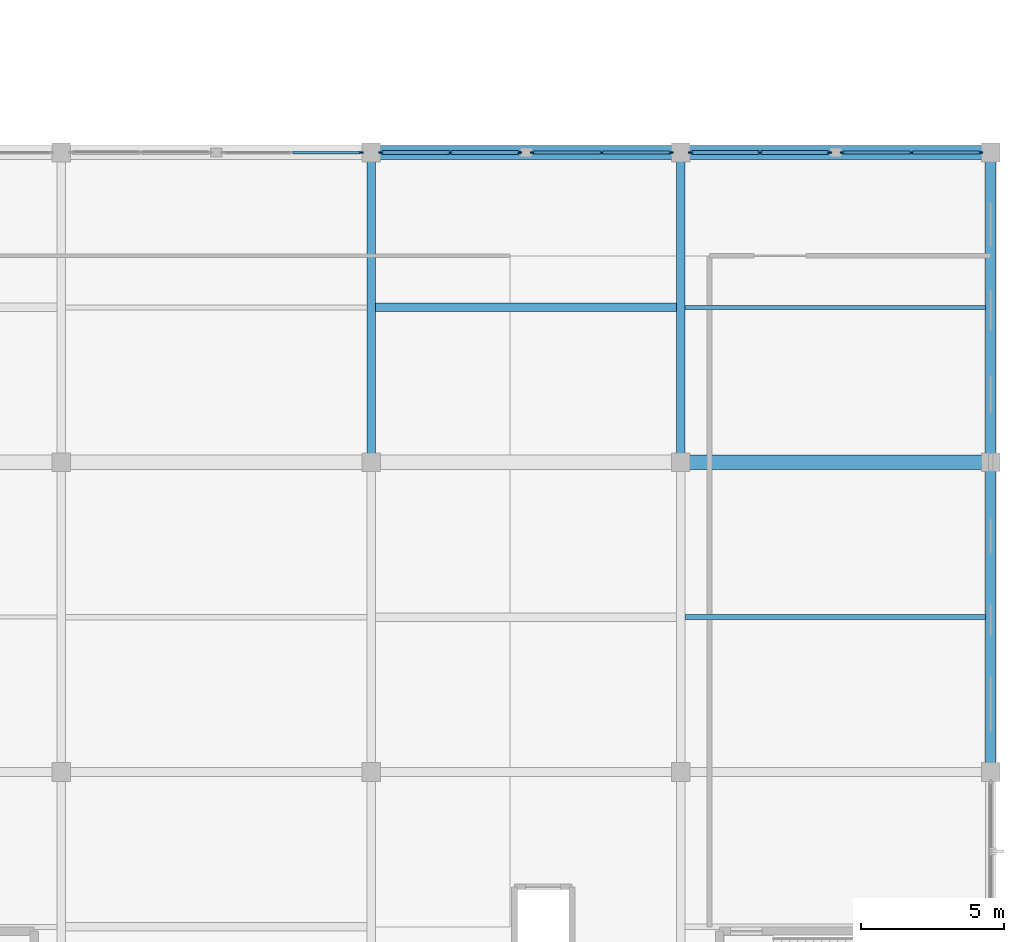
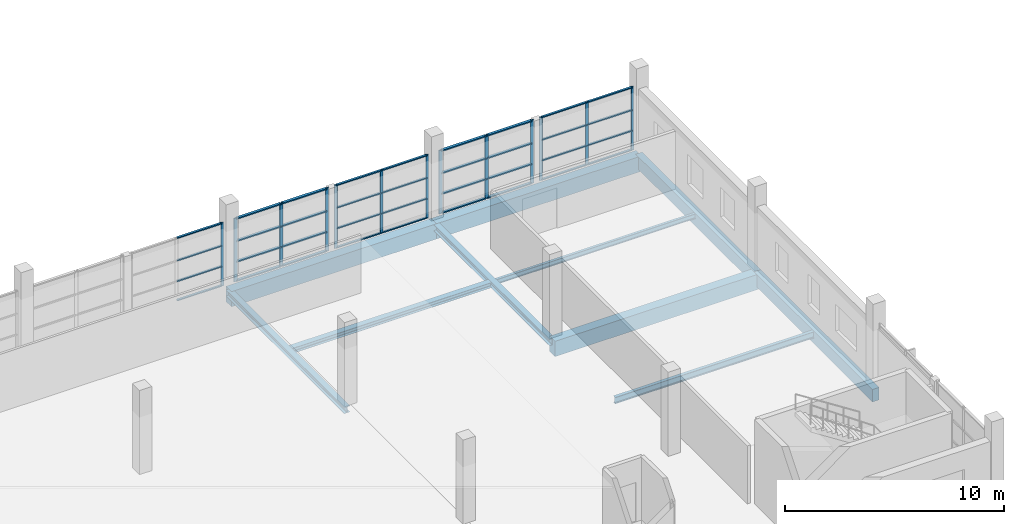
# One storey, part 66 of 142: 49 members, 10 beams, 5 elements without a shape of their own.
"""IFC4 building model written with IfcOpenShell, lengths in metres."""

from ifc_helpers import new_model, si_unit, direction, frame, origin, origin_2d, place, context, subcontext, project, spatial, rectangle, i_section, extrude, material, material_profile, profile_set, type_object, element, aggregate, save


model = new_model("IFC4")

# Units and contexts
model_context = context("Model", 3, precision=1e-05, world=origin(), true_north=direction((0.0, 1.0)))
body_context = subcontext(model_context, "Body", "Model", "MODEL_VIEW")
ifc_project = project(units=[si_unit("LENGTHUNIT", "METRE"), si_unit("AREAUNIT", "SQUARE_METRE"), si_unit("VOLUMEUNIT", "CUBIC_METRE"), si_unit("PLANEANGLEUNIT", "RADIAN"), si_unit("MASSUNIT", "GRAM", prefix="KILO")], contexts=[model_context])

# Site, building, storey
site_placement = place(None, origin())
site = spatial("IfcSite", under=ifc_project, at=site_placement, CompositionType="ELEMENT")
building_placement = place(site_placement, origin())
building = spatial("IfcBuilding", under=site, at=building_placement, Name="Zwinboog Wholesale Market", CompositionType="ELEMENT")
storey_placement = place(building_placement, frame((0.0, 0.0, 5.39990234375)))
storey = spatial("IfcBuildingStorey", under=building, at=storey_placement, Name="L01", CompositionType="ELEMENT", Elevation=5.39990234375)

# Beams
ifc_material_1 = material(Name="Precast concrete C45/55", Category="concrete")
ifc_material_profile_1 = material_profile(ifc_material_1, rectangle(XDim=0.5, YDim=0.85009765625, at=origin_2d()), Name="PC 500x850")
ifc_profile_set_1 = profile_set([ifc_material_profile_1], Name="Precast concrete C45/55")
beam_type_1 = type_object("IfcBeamType", Name="BT-03", PredefinedType="BEAM", material=ifc_profile_set_1)
for number, where, z_axis, x_axis, name in (
    (1, (205.199951171875, 21.60009765625, -0.72998046875), (1.0, 0.0, 0.0), (0.0, 1.0, 0.0), "BG-03 (BMG-L01-2052-0216-0448)"),
    (2, (194.39990234375, 32.39990234375, -0.72998046875), (1.0, 0.0, 0.0), (0.0, 1.0, 0.0), "BG-03 (BMG-L01-1944-0324-0459)"),
    (3, (205.199951171875, 32.39990234375, -0.72998046875), (1.0, 0.0, 0.0), (0.0, 1.0, 0.0), "BG-03 (BMG-L01-2052-0324-0460)"),
):
    element("IfcBeam", number, at=place(storey_placement, frame(where, z_axis=z_axis, x_axis=x_axis)), inside=storey, type_object=beam_type_1, Name=name, PredefinedType="BEAM", context=body_context, shape_type="SweptSolid", body=[
        extrude(rectangle(XDim=0.5, YDim=0.85009765625, at=origin_2d()), origin(), (0.0, 0.0, 1.0), 10.800048828125),
    ])
ifc_material_profile_2 = material_profile(ifc_material_1, rectangle(XDim=0.35009765625, YDim=0.699951171875, at=origin_2d()), Name="PC 350x700")
ifc_profile_set_2 = profile_set([ifc_material_profile_2], Name="Precast concrete C45/55")
beam_type_2 = type_object("IfcBeamType", Name="BT-08", PredefinedType="SPANDREL", material=ifc_profile_set_2)
beam_1_placement = place(storey_placement, frame((216.0, 10.800048828125, -0.65478515625), z_axis=(0.0, 1.0, 0.0), x_axis=(-1.0, 0.0, 0.0)))
element("IfcBeam", 4, at=beam_1_placement, inside=storey, type_object=beam_type_2, Name="SP-01 (BMG-L01-2160-0108-0773)", PredefinedType="SPANDREL", context=body_context, shape_type="SweptSolid", body=[
    extrude(rectangle(XDim=0.35009765625, YDim=0.699951171875, at=origin_2d()), origin(), (0.0, 0.0, 1.0), 10.800048828125),
])
beam_2_placement = place(storey_placement, frame((216.0, 21.60009765625, -0.65478515625), z_axis=(0.0, 1.0, 0.0), x_axis=(-1.0, 0.0, 0.0)))
element("IfcBeam", 5, at=beam_2_placement, inside=storey, type_object=beam_type_2, Name="SP-01 (BMG-L01-2160-0216-0774)", PredefinedType="SPANDREL", context=body_context, shape_type="SweptSolid", body=[
    extrude(rectangle(XDim=0.35009765625, YDim=0.699951171875, at=origin_2d()), origin(), (0.0, 0.0, 1.0), 10.7998046875),
])
ifc_material_2 = material(Name="Steel S355", Category="steel")
ifc_material_profile_3 = material_profile(ifc_material_2, i_section(OverallWidth=0.300048828125, OverallDepth=0.35009765625, WebThickness=0.010009765625, FlangeThickness=0.017578125, FilletRadius=0.027099609375, at=origin_2d()), Name="HEA 360")
ifc_profile_set_3 = profile_set([ifc_material_profile_3], Name="Steel S355")
beam_type_3 = type_object("IfcBeamType", Name="BT-17", PredefinedType="BEAM", material=ifc_profile_set_3)
for number, where, z_axis, x_axis, name in (
    (6, (194.39990234375, 21.60009765625, -0.47998046875), (0.0, 1.0, 0.0), (-1.0, 0.0, 0.0), "SB-04 (BMG-L01-1944-0216-0764)"),
    (7, (205.199951171875, 21.60009765625, -0.47998046875), (0.0, 1.0, 0.0), (-1.0, 0.0, 0.0), "SB-04 (BMG-L01-2052-0216-0769)"),
):
    element("IfcBeam", number, at=place(storey_placement, frame(where, z_axis=z_axis, x_axis=x_axis)), inside=storey, type_object=beam_type_3, Name=name, PredefinedType="BEAM", context=body_context, shape_type="SweptSolid", body=[
        extrude(i_section(OverallWidth=0.300048828125, OverallDepth=0.35009765625, WebThickness=0.010009765625, FlangeThickness=0.017578125, FilletRadius=0.027099609375, at=origin_2d()), origin(), (0.0, 0.0, 1.0), 10.7998046875),
    ])
ifc_material_profile_4 = material_profile(ifc_material_2, i_section(OverallWidth=0.300048828125, OverallDepth=0.2900390625, WebThickness=0.008544921875, FlangeThickness=0.013916015625, FilletRadius=0.027099609375, at=origin_2d()), Name="HEA 300")
ifc_profile_set_4 = profile_set([ifc_material_profile_4], Name="Steel S355")
beam_type_4 = type_object("IfcBeamType", Name="BT-18", PredefinedType="JOIST", material=ifc_profile_set_4)
beam_3_placement = place(storey_placement, frame((194.550048828125, 27.0, -0.449951171875), z_axis=(1.0, 0.0, 0.0), x_axis=(0.0, 1.0, 0.0)))
element("IfcBeam", 8, at=beam_3_placement, inside=storey, type_object=beam_type_4, Name="SJ-01 (BMG-L01-1946-0270-0899)", PredefinedType="JOIST", context=body_context, shape_type="SweptSolid", body=[
    extrude(i_section(OverallWidth=0.300048828125, OverallDepth=0.2900390625, WebThickness=0.008544921875, FlangeThickness=0.013916015625, FilletRadius=0.027099609375, at=origin_2d()), origin(), (0.0, 0.0, 1.0), 10.5),
])
ifc_material_profile_5 = material_profile(ifc_material_2, i_section(OverallWidth=0.169921875, OverallDepth=0.360107421875, WebThickness=0.008056640625, FlangeThickness=0.0126953125, FilletRadius=0.01806640625, at=origin_2d()), Name="IPE 360")
ifc_profile_set_5 = profile_set([ifc_material_profile_5], Name="Steel S355")
beam_type_5 = type_object("IfcBeamType", Name="BT-20", PredefinedType="JOIST", material=ifc_profile_set_5)
beam_4_placement = place(storey_placement, frame((205.35009765625, 16.199951171875, -0.48486328125), z_axis=(1.0, 0.0, 0.0), x_axis=(0.0, 1.0, 0.0)))
element("IfcBeam", 9, at=beam_4_placement, inside=storey, type_object=beam_type_5, Name="SJ-03 (BMG-L01-2054-0162-0901)", PredefinedType="JOIST", context=body_context, shape_type="SweptSolid", body=[
    extrude(i_section(OverallWidth=0.169921875, OverallDepth=0.360107421875, WebThickness=0.008056640625, FlangeThickness=0.0126953125, FilletRadius=0.01806640625, at=origin_2d()), origin(), (0.0, 0.0, 1.0), 10.474853515625),
])
ifc_material_profile_6 = material_profile(ifc_material_2, i_section(OverallWidth=0.135009765625, OverallDepth=0.27001953125, WebThickness=0.006591796875, FlangeThickness=0.01025390625, FilletRadius=0.014892578125, at=origin_2d()), Name="IPE 270")
ifc_profile_set_6 = profile_set([ifc_material_profile_6], Name="Steel S355")
beam_type_6 = type_object("IfcBeamType", Name="BT-21", PredefinedType="JOIST", material=ifc_profile_set_6)
beam_5_placement = place(storey_placement, frame((205.35009765625, 27.0, -0.43994140625), z_axis=(1.0, 0.0, 0.0), x_axis=(0.0, 1.0, 0.0)))
element("IfcBeam", 10, at=beam_5_placement, inside=storey, type_object=beam_type_6, Name="SJ-04 (BMG-L01-2054-0270-0902)", PredefinedType="JOIST", context=body_context, shape_type="SweptSolid", body=[
    extrude(i_section(OverallWidth=0.135009765625, OverallDepth=0.27001953125, WebThickness=0.006591796875, FlangeThickness=0.01025390625, FilletRadius=0.014892578125, at=origin_2d()), origin(), (0.0, 0.0, 1.0), 10.474853515625),
])

# Curtain wall, members
ifc_material_3 = material(Name="Aluminium thermally broken curtain wall", Category="aluminium")
curtain_wall_type_1 = type_object("IfcCurtainWallType", Name="CWT-HALL-24", PredefinedType="USERDEFINED", material=ifc_material_3)
curtain_wall_1_placement = place(storey_placement, origin())
curtain_wall_1 = element("IfcCurtainWall", 11, at=curtain_wall_1_placement, inside=storey, type_object=curtain_wall_type_1, Name="CW-03 (CW-L01-147)", ObjectType="UNITIZED_CURTAIN_WALL", PredefinedType="USERDEFINED")
ifc_material_4 = material(Name="Aluminium EN AW-6060", Category="aluminium")
ifc_material_profile_7 = material_profile(ifc_material_4, rectangle(XDim=0.06494140625, YDim=0.179931640625, at=origin_2d()), Name="AL 65x180")
ifc_profile_set_7 = profile_set([ifc_material_profile_7], Name="Aluminium EN AW-6060")
member_type_1 = type_object("IfcMemberType", Name="CWM-65x180", PredefinedType="MULLION", material=ifc_profile_set_7)
member_1_placement = place(storey_placement, frame((194.75244140625, 32.39990234375, 0.0), z_axis=(0.0, 0.0, 1.0), x_axis=(0.0, 1.0, 0.0)))
member_1 = element("IfcMember", 12, at=member_1_placement, type_object=member_type_1, Name="CW-03 mullion 1", PredefinedType="MULLION", context=body_context, shape_type="SweptSolid", body=[
    extrude(rectangle(XDim=0.06494140625, YDim=0.179931640625, at=origin_2d()), origin(), (0.0, 0.0, 1.0), 3.530029296875),
])
member_2_placement = place(storey_placement, frame((197.159912109375, 32.39990234375, 0.0), z_axis=(0.0, 0.0, 1.0), x_axis=(0.0, 1.0, 0.0)))
member_2 = element("IfcMember", 13, at=member_2_placement, type_object=member_type_1, Name="CW-03 mullion 2", PredefinedType="MULLION", context=body_context, shape_type="SweptSolid", body=[
    extrude(rectangle(XDim=0.06494140625, YDim=0.179931640625, at=origin_2d()), origin(), (0.0, 0.0, 1.0), 3.530029296875),
])
member_3_placement = place(storey_placement, frame((199.5673828125, 32.39990234375, 0.0), z_axis=(0.0, 0.0, 1.0), x_axis=(0.0, 1.0, 0.0)))
member_3 = element("IfcMember", 14, at=member_3_placement, type_object=member_type_1, Name="CW-03 mullion 3", PredefinedType="MULLION", context=body_context, shape_type="SweptSolid", body=[
    extrude(rectangle(XDim=0.06494140625, YDim=0.179931640625, at=origin_2d()), origin(), (0.0, 0.0, 1.0), 3.530029296875),
])

curtain_wall_type_2 = type_object("IfcCurtainWallType", Name="CWT-STALL-18", PredefinedType="USERDEFINED", material=ifc_material_3)
curtain_wall_2_placement = place(storey_placement, origin())
curtain_wall_2 = element("IfcCurtainWall", 15, at=curtain_wall_2_placement, inside=storey, type_object=curtain_wall_type_2, Name="CW-01 (CW-L01-151)", ObjectType="STOREFRONT_GLAZING", PredefinedType="USERDEFINED")
member_4_placement = place(storey_placement, frame((205.552490234375, 32.39990234375, 0.0), z_axis=(0.0, 0.0, 1.0), x_axis=(0.0, 1.0, 0.0)))
member_4 = element("IfcMember", 16, at=member_4_placement, type_object=member_type_1, Name="CW-01 mullion 1", PredefinedType="MULLION", context=body_context, shape_type="SweptSolid", body=[
    extrude(rectangle(XDim=0.06494140625, YDim=0.179931640625, at=origin_2d()), origin(), (0.0, 0.0, 1.0), 3.530029296875),
])
member_5_placement = place(storey_placement, frame((207.9599609375, 32.39990234375, 0.0), z_axis=(0.0, 0.0, 1.0), x_axis=(0.0, 1.0, 0.0)))
member_5 = element("IfcMember", 17, at=member_5_placement, type_object=member_type_1, Name="CW-01 mullion 2", PredefinedType="MULLION", context=body_context, shape_type="SweptSolid", body=[
    extrude(rectangle(XDim=0.06494140625, YDim=0.179931640625, at=origin_2d()), origin(), (0.0, 0.0, 1.0), 3.530029296875),
])
member_6_placement = place(storey_placement, frame((210.367431640625, 32.39990234375, 0.0), z_axis=(0.0, 0.0, 1.0), x_axis=(0.0, 1.0, 0.0)))
member_6 = element("IfcMember", 18, at=member_6_placement, type_object=member_type_1, Name="CW-01 mullion 3", PredefinedType="MULLION", context=body_context, shape_type="SweptSolid", body=[
    extrude(rectangle(XDim=0.06494140625, YDim=0.179931640625, at=origin_2d()), origin(), (0.0, 0.0, 1.0), 3.530029296875),
])

# Curtain wall, member
curtain_wall_type_3 = type_object("IfcCurtainWallType", Name="CWT-STALL-20", PredefinedType="USERDEFINED", material=ifc_material_3)
curtain_wall_3_placement = place(storey_placement, origin())
curtain_wall_3 = element("IfcCurtainWall", 19, at=curtain_wall_3_placement, inside=storey, type_object=curtain_wall_type_3, Name="CW-02 (CW-L01-146)", ObjectType="STOREFRONT_GLAZING", PredefinedType="USERDEFINED")
ifc_material_profile_8 = material_profile(ifc_material_4, rectangle(XDim=0.06005859375, YDim=0.14990234375, at=origin_2d()), Name="AL 60x150")
ifc_profile_set_8 = profile_set([ifc_material_profile_8], Name="Aluminium EN AW-6060")
member_type_2 = type_object("IfcMemberType", Name="CWM-60x150", PredefinedType="MULLION", material=ifc_profile_set_8)
member_7_placement = place(storey_placement, frame((194.050048828125, 32.39990234375, 0.0), z_axis=(0.0, 0.0, 1.0), x_axis=(0.0, 1.0, 0.0)))
member_7 = element("IfcMember", 20, at=member_7_placement, type_object=member_type_2, Name="CW-02 mullion 3", PredefinedType="MULLION", context=body_context, shape_type="SweptSolid", body=[
    extrude(rectangle(XDim=0.06005859375, YDim=0.14990234375, at=origin_2d()), origin(), (0.0, 0.0, 1.0), 3.530029296875),
])

# Curtain wall, members
curtain_wall_type_4 = type_object("IfcCurtainWallType", Name="CWT-GAL-16", PredefinedType="USERDEFINED", material=ifc_material_3)
curtain_wall_4_placement = place(storey_placement, origin())
curtain_wall_4 = element("IfcCurtainWall", 21, at=curtain_wall_4_placement, inside=storey, type_object=curtain_wall_type_4, Name="CW-04 (CW-L01-148)", ObjectType="UNITIZED_CURTAIN_WALL", PredefinedType="USERDEFINED")
member_8_placement = place(storey_placement, frame((200.030029296875, 32.39990234375, 0.0), z_axis=(0.0, 0.0, 1.0), x_axis=(0.0, 1.0, 0.0)))
member_8 = element("IfcMember", 22, at=member_8_placement, type_object=member_type_2, Name="CW-04 mullion 1", PredefinedType="MULLION", context=body_context, shape_type="SweptSolid", body=[
    extrude(rectangle(XDim=0.06005859375, YDim=0.14990234375, at=origin_2d()), origin(), (0.0, 0.0, 1.0), 3.530029296875),
])
member_9_placement = place(storey_placement, frame((202.43994140625, 32.39990234375, 0.0), z_axis=(0.0, 0.0, 1.0), x_axis=(0.0, 1.0, 0.0)))
member_9 = element("IfcMember", 23, at=member_9_placement, type_object=member_type_2, Name="CW-04 mullion 2", PredefinedType="MULLION", context=body_context, shape_type="SweptSolid", body=[
    extrude(rectangle(XDim=0.06005859375, YDim=0.14990234375, at=origin_2d()), origin(), (0.0, 0.0, 1.0), 3.530029296875),
])
member_10_placement = place(storey_placement, frame((204.85009765625, 32.39990234375, 0.0), z_axis=(0.0, 0.0, 1.0), x_axis=(0.0, 1.0, 0.0)))
member_10 = element("IfcMember", 24, at=member_10_placement, type_object=member_type_2, Name="CW-04 mullion 3", PredefinedType="MULLION", context=body_context, shape_type="SweptSolid", body=[
    extrude(rectangle(XDim=0.06005859375, YDim=0.14990234375, at=origin_2d()), origin(), (0.0, 0.0, 1.0), 3.530029296875),
])

curtain_wall_5_placement = place(storey_placement, origin())
curtain_wall_5 = element("IfcCurtainWall", 25, at=curtain_wall_5_placement, inside=storey, type_object=curtain_wall_type_3, Name="CW-02 (CW-L01-152)", ObjectType="STOREFRONT_GLAZING", PredefinedType="USERDEFINED")
member_11_placement = place(storey_placement, frame((210.830078125, 32.39990234375, 0.0), z_axis=(0.0, 0.0, 1.0), x_axis=(0.0, 1.0, 0.0)))
member_11 = element("IfcMember", 26, at=member_11_placement, type_object=member_type_2, Name="CW-02 mullion 1", PredefinedType="MULLION", context=body_context, shape_type="SweptSolid", body=[
    extrude(rectangle(XDim=0.06005859375, YDim=0.14990234375, at=origin_2d()), origin(), (0.0, 0.0, 1.0), 3.530029296875),
])
member_12_placement = place(storey_placement, frame((213.239990234375, 32.39990234375, 0.0), z_axis=(0.0, 0.0, 1.0), x_axis=(0.0, 1.0, 0.0)))
member_12 = element("IfcMember", 27, at=member_12_placement, type_object=member_type_2, Name="CW-02 mullion 2", PredefinedType="MULLION", context=body_context, shape_type="SweptSolid", body=[
    extrude(rectangle(XDim=0.06005859375, YDim=0.14990234375, at=origin_2d()), origin(), (0.0, 0.0, 1.0), 3.530029296875),
])
member_13_placement = place(storey_placement, frame((215.64990234375, 32.39990234375, 0.0), z_axis=(0.0, 0.0, 1.0), x_axis=(0.0, 1.0, 0.0)))
member_13 = element("IfcMember", 28, at=member_13_placement, type_object=member_type_2, Name="CW-02 mullion 3", PredefinedType="MULLION", context=body_context, shape_type="SweptSolid", body=[
    extrude(rectangle(XDim=0.06005859375, YDim=0.14990234375, at=origin_2d()), origin(), (0.0, 0.0, 1.0), 3.530029296875),
])

# Member
ifc_material_profile_9 = material_profile(ifc_material_4, rectangle(XDim=0.139892578125, YDim=0.06494140625, at=origin_2d()), Name="AL 65x140")
ifc_profile_set_9 = profile_set([ifc_material_profile_9], Name="Aluminium EN AW-6060")
member_type_3 = type_object("IfcMemberType", Name="CWT-65x140", PredefinedType="USERDEFINED", material=ifc_profile_set_9)
member_14_placement = place(storey_placement, frame((194.784912109375, 32.39990234375, 0.03271484375), z_axis=(1.0, 0.0, 0.0), x_axis=(0.0, 1.0, 0.0)))
member_14 = element("IfcMember", 29, at=member_14_placement, type_object=member_type_3, Name="CW-03 transom 1.1", ObjectType="TRANSOM", PredefinedType="USERDEFINED", context=body_context, shape_type="SweptSolid", body=[
    extrude(rectangle(XDim=0.139892578125, YDim=0.06494140625, at=origin_2d()), origin(), (0.0, 0.0, 1.0), 2.342529296875),
])

member_15_placement = place(storey_placement, frame((194.784912109375, 32.39990234375, 1.10009765625), z_axis=(1.0, 0.0, 0.0), x_axis=(0.0, 1.0, 0.0)))
member_15 = element("IfcMember", 30, at=member_15_placement, type_object=member_type_3, Name="CW-03 transom 1.2", ObjectType="TRANSOM", PredefinedType="USERDEFINED", context=body_context, shape_type="SweptSolid", body=[
    extrude(rectangle(XDim=0.139892578125, YDim=0.06494140625, at=origin_2d()), origin(), (0.0, 0.0, 1.0), 2.342529296875),
])

member_16_placement = place(storey_placement, frame((194.784912109375, 32.39990234375, 2.25), z_axis=(1.0, 0.0, 0.0), x_axis=(0.0, 1.0, 0.0)))
member_16 = element("IfcMember", 31, at=member_16_placement, type_object=member_type_3, Name="CW-03 transom 1.3", ObjectType="TRANSOM", PredefinedType="USERDEFINED", context=body_context, shape_type="SweptSolid", body=[
    extrude(rectangle(XDim=0.139892578125, YDim=0.06494140625, at=origin_2d()), origin(), (0.0, 0.0, 1.0), 2.342529296875),
])

member_17_placement = place(storey_placement, frame((194.784912109375, 32.39990234375, 3.49755859375), z_axis=(1.0, 0.0, 0.0), x_axis=(0.0, 1.0, 0.0)))
member_17 = element("IfcMember", 32, at=member_17_placement, type_object=member_type_3, Name="CW-03 transom 1.4", ObjectType="TRANSOM", PredefinedType="USERDEFINED", context=body_context, shape_type="SweptSolid", body=[
    extrude(rectangle(XDim=0.139892578125, YDim=0.06494140625, at=origin_2d()), origin(), (0.0, 0.0, 1.0), 2.342529296875),
])

member_18_placement = place(storey_placement, frame((197.1923828125, 32.39990234375, 0.03271484375), z_axis=(1.0, 0.0, 0.0), x_axis=(0.0, 1.0, 0.0)))
member_18 = element("IfcMember", 33, at=member_18_placement, type_object=member_type_3, Name="CW-03 transom 2.1", ObjectType="TRANSOM", PredefinedType="USERDEFINED", context=body_context, shape_type="SweptSolid", body=[
    extrude(rectangle(XDim=0.139892578125, YDim=0.06494140625, at=origin_2d()), origin(), (0.0, 0.0, 1.0), 2.342529296875),
])

member_19_placement = place(storey_placement, frame((197.1923828125, 32.39990234375, 1.10009765625), z_axis=(1.0, 0.0, 0.0), x_axis=(0.0, 1.0, 0.0)))
member_19 = element("IfcMember", 34, at=member_19_placement, type_object=member_type_3, Name="CW-03 transom 2.2", ObjectType="TRANSOM", PredefinedType="USERDEFINED", context=body_context, shape_type="SweptSolid", body=[
    extrude(rectangle(XDim=0.139892578125, YDim=0.06494140625, at=origin_2d()), origin(), (0.0, 0.0, 1.0), 2.342529296875),
])

member_20_placement = place(storey_placement, frame((197.1923828125, 32.39990234375, 2.25), z_axis=(1.0, 0.0, 0.0), x_axis=(0.0, 1.0, 0.0)))
member_20 = element("IfcMember", 35, at=member_20_placement, type_object=member_type_3, Name="CW-03 transom 2.3", ObjectType="TRANSOM", PredefinedType="USERDEFINED", context=body_context, shape_type="SweptSolid", body=[
    extrude(rectangle(XDim=0.139892578125, YDim=0.06494140625, at=origin_2d()), origin(), (0.0, 0.0, 1.0), 2.342529296875),
])

member_21_placement = place(storey_placement, frame((197.1923828125, 32.39990234375, 3.49755859375), z_axis=(1.0, 0.0, 0.0), x_axis=(0.0, 1.0, 0.0)))
member_21 = element("IfcMember", 36, at=member_21_placement, type_object=member_type_3, Name="CW-03 transom 2.4", ObjectType="TRANSOM", PredefinedType="USERDEFINED", context=body_context, shape_type="SweptSolid", body=[
    extrude(rectangle(XDim=0.139892578125, YDim=0.06494140625, at=origin_2d()), origin(), (0.0, 0.0, 1.0), 2.342529296875),
])

aggregate(curtain_wall_1, [member_1, member_2, member_3, member_14, member_15, member_16, member_17, member_18, member_19, member_20, member_21])

member_22_placement = place(storey_placement, frame((205.5849609375, 32.39990234375, 0.03271484375), z_axis=(1.0, 0.0, 0.0), x_axis=(0.0, 1.0, 0.0)))
member_22 = element("IfcMember", 37, at=member_22_placement, type_object=member_type_3, Name="CW-01 transom 1.1", ObjectType="TRANSOM", PredefinedType="USERDEFINED", context=body_context, shape_type="SweptSolid", body=[
    extrude(rectangle(XDim=0.139892578125, YDim=0.06494140625, at=origin_2d()), origin(), (0.0, 0.0, 1.0), 2.342529296875),
])

member_23_placement = place(storey_placement, frame((205.5849609375, 32.39990234375, 1.10009765625), z_axis=(1.0, 0.0, 0.0), x_axis=(0.0, 1.0, 0.0)))
member_23 = element("IfcMember", 38, at=member_23_placement, type_object=member_type_3, Name="CW-01 transom 1.2", ObjectType="TRANSOM", PredefinedType="USERDEFINED", context=body_context, shape_type="SweptSolid", body=[
    extrude(rectangle(XDim=0.139892578125, YDim=0.06494140625, at=origin_2d()), origin(), (0.0, 0.0, 1.0), 2.342529296875),
])

member_24_placement = place(storey_placement, frame((205.5849609375, 32.39990234375, 2.25), z_axis=(1.0, 0.0, 0.0), x_axis=(0.0, 1.0, 0.0)))
member_24 = element("IfcMember", 39, at=member_24_placement, type_object=member_type_3, Name="CW-01 transom 1.3", ObjectType="TRANSOM", PredefinedType="USERDEFINED", context=body_context, shape_type="SweptSolid", body=[
    extrude(rectangle(XDim=0.139892578125, YDim=0.06494140625, at=origin_2d()), origin(), (0.0, 0.0, 1.0), 2.342529296875),
])

member_25_placement = place(storey_placement, frame((205.5849609375, 32.39990234375, 3.49755859375), z_axis=(1.0, 0.0, 0.0), x_axis=(0.0, 1.0, 0.0)))
member_25 = element("IfcMember", 40, at=member_25_placement, type_object=member_type_3, Name="CW-01 transom 1.4", ObjectType="TRANSOM", PredefinedType="USERDEFINED", context=body_context, shape_type="SweptSolid", body=[
    extrude(rectangle(XDim=0.139892578125, YDim=0.06494140625, at=origin_2d()), origin(), (0.0, 0.0, 1.0), 2.342529296875),
])

member_26_placement = place(storey_placement, frame((207.992431640625, 32.39990234375, 0.03271484375), z_axis=(1.0, 0.0, 0.0), x_axis=(0.0, 1.0, 0.0)))
member_26 = element("IfcMember", 41, at=member_26_placement, type_object=member_type_3, Name="CW-01 transom 2.1", ObjectType="TRANSOM", PredefinedType="USERDEFINED", context=body_context, shape_type="SweptSolid", body=[
    extrude(rectangle(XDim=0.139892578125, YDim=0.06494140625, at=origin_2d()), origin(), (0.0, 0.0, 1.0), 2.342529296875),
])

member_27_placement = place(storey_placement, frame((207.992431640625, 32.39990234375, 1.10009765625), z_axis=(1.0, 0.0, 0.0), x_axis=(0.0, 1.0, 0.0)))
member_27 = element("IfcMember", 42, at=member_27_placement, type_object=member_type_3, Name="CW-01 transom 2.2", ObjectType="TRANSOM", PredefinedType="USERDEFINED", context=body_context, shape_type="SweptSolid", body=[
    extrude(rectangle(XDim=0.139892578125, YDim=0.06494140625, at=origin_2d()), origin(), (0.0, 0.0, 1.0), 2.342529296875),
])

member_28_placement = place(storey_placement, frame((207.992431640625, 32.39990234375, 2.25), z_axis=(1.0, 0.0, 0.0), x_axis=(0.0, 1.0, 0.0)))
member_28 = element("IfcMember", 43, at=member_28_placement, type_object=member_type_3, Name="CW-01 transom 2.3", ObjectType="TRANSOM", PredefinedType="USERDEFINED", context=body_context, shape_type="SweptSolid", body=[
    extrude(rectangle(XDim=0.139892578125, YDim=0.06494140625, at=origin_2d()), origin(), (0.0, 0.0, 1.0), 2.342529296875),
])

member_29_placement = place(storey_placement, frame((207.992431640625, 32.39990234375, 3.49755859375), z_axis=(1.0, 0.0, 0.0), x_axis=(0.0, 1.0, 0.0)))
member_29 = element("IfcMember", 44, at=member_29_placement, type_object=member_type_3, Name="CW-01 transom 2.4", ObjectType="TRANSOM", PredefinedType="USERDEFINED", context=body_context, shape_type="SweptSolid", body=[
    extrude(rectangle(XDim=0.139892578125, YDim=0.06494140625, at=origin_2d()), origin(), (0.0, 0.0, 1.0), 2.342529296875),
])

aggregate(curtain_wall_2, [member_4, member_5, member_6, member_22, member_23, member_24, member_25, member_26, member_27, member_28, member_29])

ifc_material_profile_10 = material_profile(ifc_material_4, rectangle(XDim=0.110107421875, YDim=0.06005859375, at=origin_2d()), Name="AL 60x110")
ifc_profile_set_10 = profile_set([ifc_material_profile_10], Name="Aluminium EN AW-6060")
member_type_4 = type_object("IfcMemberType", Name="CWT-60x110", PredefinedType="USERDEFINED", material=ifc_profile_set_10)
member_30_placement = place(storey_placement, frame((191.669921875, 32.39990234375, 0.030029296875), z_axis=(1.0, 0.0, 0.0), x_axis=(0.0, 1.0, 0.0)))
member_30 = element("IfcMember", 45, at=member_30_placement, type_object=member_type_4, Name="CW-02 transom 2.1", ObjectType="TRANSOM", PredefinedType="USERDEFINED", context=body_context, shape_type="SweptSolid", body=[
    extrude(rectangle(XDim=0.110107421875, YDim=0.06005859375, at=origin_2d()), origin(), (0.0, 0.0, 1.0), 2.35009765625),
])

member_31_placement = place(storey_placement, frame((191.669921875, 32.39990234375, 1.10009765625), z_axis=(1.0, 0.0, 0.0), x_axis=(0.0, 1.0, 0.0)))
member_31 = element("IfcMember", 46, at=member_31_placement, type_object=member_type_4, Name="CW-02 transom 2.2", ObjectType="TRANSOM", PredefinedType="USERDEFINED", context=body_context, shape_type="SweptSolid", body=[
    extrude(rectangle(XDim=0.110107421875, YDim=0.06005859375, at=origin_2d()), origin(), (0.0, 0.0, 1.0), 2.35009765625),
])

member_32_placement = place(storey_placement, frame((191.669921875, 32.39990234375, 2.25), z_axis=(1.0, 0.0, 0.0), x_axis=(0.0, 1.0, 0.0)))
member_32 = element("IfcMember", 47, at=member_32_placement, type_object=member_type_4, Name="CW-02 transom 2.3", ObjectType="TRANSOM", PredefinedType="USERDEFINED", context=body_context, shape_type="SweptSolid", body=[
    extrude(rectangle(XDim=0.110107421875, YDim=0.06005859375, at=origin_2d()), origin(), (0.0, 0.0, 1.0), 2.35009765625),
])

member_33_placement = place(storey_placement, frame((191.669921875, 32.39990234375, 3.5), z_axis=(1.0, 0.0, 0.0), x_axis=(0.0, 1.0, 0.0)))
member_33 = element("IfcMember", 48, at=member_33_placement, type_object=member_type_4, Name="CW-02 transom 2.4", ObjectType="TRANSOM", PredefinedType="USERDEFINED", context=body_context, shape_type="SweptSolid", body=[
    extrude(rectangle(XDim=0.110107421875, YDim=0.06005859375, at=origin_2d()), origin(), (0.0, 0.0, 1.0), 2.35009765625),
])

aggregate(curtain_wall_3, [member_7, member_30, member_31, member_32, member_33])

member_34_placement = place(storey_placement, frame((200.06005859375, 32.39990234375, 0.030029296875), z_axis=(1.0, 0.0, 0.0), x_axis=(0.0, 1.0, 0.0)))
member_34 = element("IfcMember", 49, at=member_34_placement, type_object=member_type_4, Name="CW-04 transom 1.1", ObjectType="TRANSOM", PredefinedType="USERDEFINED", context=body_context, shape_type="SweptSolid", body=[
    extrude(rectangle(XDim=0.110107421875, YDim=0.06005859375, at=origin_2d()), origin(), (0.0, 0.0, 1.0), 2.349853515625),
])

member_35_placement = place(storey_placement, frame((200.06005859375, 32.39990234375, 1.10009765625), z_axis=(1.0, 0.0, 0.0), x_axis=(0.0, 1.0, 0.0)))
member_35 = element("IfcMember", 50, at=member_35_placement, type_object=member_type_4, Name="CW-04 transom 1.2", ObjectType="TRANSOM", PredefinedType="USERDEFINED", context=body_context, shape_type="SweptSolid", body=[
    extrude(rectangle(XDim=0.110107421875, YDim=0.06005859375, at=origin_2d()), origin(), (0.0, 0.0, 1.0), 2.349853515625),
])

member_36_placement = place(storey_placement, frame((200.06005859375, 32.39990234375, 2.25), z_axis=(1.0, 0.0, 0.0), x_axis=(0.0, 1.0, 0.0)))
member_36 = element("IfcMember", 51, at=member_36_placement, type_object=member_type_4, Name="CW-04 transom 1.3", ObjectType="TRANSOM", PredefinedType="USERDEFINED", context=body_context, shape_type="SweptSolid", body=[
    extrude(rectangle(XDim=0.110107421875, YDim=0.06005859375, at=origin_2d()), origin(), (0.0, 0.0, 1.0), 2.349853515625),
])

member_37_placement = place(storey_placement, frame((200.06005859375, 32.39990234375, 3.5), z_axis=(1.0, 0.0, 0.0), x_axis=(0.0, 1.0, 0.0)))
member_37 = element("IfcMember", 52, at=member_37_placement, type_object=member_type_4, Name="CW-04 transom 1.4", ObjectType="TRANSOM", PredefinedType="USERDEFINED", context=body_context, shape_type="SweptSolid", body=[
    extrude(rectangle(XDim=0.110107421875, YDim=0.06005859375, at=origin_2d()), origin(), (0.0, 0.0, 1.0), 2.349853515625),
])

member_38_placement = place(storey_placement, frame((202.469970703125, 32.39990234375, 0.030029296875), z_axis=(1.0, 0.0, 0.0), x_axis=(0.0, 1.0, 0.0)))
member_38 = element("IfcMember", 53, at=member_38_placement, type_object=member_type_4, Name="CW-04 transom 2.1", ObjectType="TRANSOM", PredefinedType="USERDEFINED", context=body_context, shape_type="SweptSolid", body=[
    extrude(rectangle(XDim=0.110107421875, YDim=0.06005859375, at=origin_2d()), origin(), (0.0, 0.0, 1.0), 2.35009765625),
])

member_39_placement = place(storey_placement, frame((202.469970703125, 32.39990234375, 1.10009765625), z_axis=(1.0, 0.0, 0.0), x_axis=(0.0, 1.0, 0.0)))
member_39 = element("IfcMember", 54, at=member_39_placement, type_object=member_type_4, Name="CW-04 transom 2.2", ObjectType="TRANSOM", PredefinedType="USERDEFINED", context=body_context, shape_type="SweptSolid", body=[
    extrude(rectangle(XDim=0.110107421875, YDim=0.06005859375, at=origin_2d()), origin(), (0.0, 0.0, 1.0), 2.35009765625),
])

member_40_placement = place(storey_placement, frame((202.469970703125, 32.39990234375, 2.25), z_axis=(1.0, 0.0, 0.0), x_axis=(0.0, 1.0, 0.0)))
member_40 = element("IfcMember", 55, at=member_40_placement, type_object=member_type_4, Name="CW-04 transom 2.3", ObjectType="TRANSOM", PredefinedType="USERDEFINED", context=body_context, shape_type="SweptSolid", body=[
    extrude(rectangle(XDim=0.110107421875, YDim=0.06005859375, at=origin_2d()), origin(), (0.0, 0.0, 1.0), 2.35009765625),
])

member_41_placement = place(storey_placement, frame((202.469970703125, 32.39990234375, 3.5), z_axis=(1.0, 0.0, 0.0), x_axis=(0.0, 1.0, 0.0)))
member_41 = element("IfcMember", 56, at=member_41_placement, type_object=member_type_4, Name="CW-04 transom 2.4", ObjectType="TRANSOM", PredefinedType="USERDEFINED", context=body_context, shape_type="SweptSolid", body=[
    extrude(rectangle(XDim=0.110107421875, YDim=0.06005859375, at=origin_2d()), origin(), (0.0, 0.0, 1.0), 2.35009765625),
])

aggregate(curtain_wall_4, [member_8, member_9, member_10, member_34, member_35, member_36, member_37, member_38, member_39, member_40, member_41])

member_42_placement = place(storey_placement, frame((210.860107421875, 32.39990234375, 0.030029296875), z_axis=(1.0, 0.0, 0.0), x_axis=(0.0, 1.0, 0.0)))
member_42 = element("IfcMember", 57, at=member_42_placement, type_object=member_type_4, Name="CW-02 transom 1.1", ObjectType="TRANSOM", PredefinedType="USERDEFINED", context=body_context, shape_type="SweptSolid", body=[
    extrude(rectangle(XDim=0.110107421875, YDim=0.06005859375, at=origin_2d()), origin(), (0.0, 0.0, 1.0), 2.349853515625),
])

member_43_placement = place(storey_placement, frame((210.860107421875, 32.39990234375, 1.10009765625), z_axis=(1.0, 0.0, 0.0), x_axis=(0.0, 1.0, 0.0)))
member_43 = element("IfcMember", 58, at=member_43_placement, type_object=member_type_4, Name="CW-02 transom 1.2", ObjectType="TRANSOM", PredefinedType="USERDEFINED", context=body_context, shape_type="SweptSolid", body=[
    extrude(rectangle(XDim=0.110107421875, YDim=0.06005859375, at=origin_2d()), origin(), (0.0, 0.0, 1.0), 2.349853515625),
])

member_44_placement = place(storey_placement, frame((210.860107421875, 32.39990234375, 2.25), z_axis=(1.0, 0.0, 0.0), x_axis=(0.0, 1.0, 0.0)))
member_44 = element("IfcMember", 59, at=member_44_placement, type_object=member_type_4, Name="CW-02 transom 1.3", ObjectType="TRANSOM", PredefinedType="USERDEFINED", context=body_context, shape_type="SweptSolid", body=[
    extrude(rectangle(XDim=0.110107421875, YDim=0.06005859375, at=origin_2d()), origin(), (0.0, 0.0, 1.0), 2.349853515625),
])

member_45_placement = place(storey_placement, frame((210.860107421875, 32.39990234375, 3.5), z_axis=(1.0, 0.0, 0.0), x_axis=(0.0, 1.0, 0.0)))
member_45 = element("IfcMember", 60, at=member_45_placement, type_object=member_type_4, Name="CW-02 transom 1.4", ObjectType="TRANSOM", PredefinedType="USERDEFINED", context=body_context, shape_type="SweptSolid", body=[
    extrude(rectangle(XDim=0.110107421875, YDim=0.06005859375, at=origin_2d()), origin(), (0.0, 0.0, 1.0), 2.349853515625),
])

member_46_placement = place(storey_placement, frame((213.27001953125, 32.39990234375, 0.030029296875), z_axis=(1.0, 0.0, 0.0), x_axis=(0.0, 1.0, 0.0)))
member_46 = element("IfcMember", 61, at=member_46_placement, type_object=member_type_4, Name="CW-02 transom 2.1", ObjectType="TRANSOM", PredefinedType="USERDEFINED", context=body_context, shape_type="SweptSolid", body=[
    extrude(rectangle(XDim=0.110107421875, YDim=0.06005859375, at=origin_2d()), origin(), (0.0, 0.0, 1.0), 2.35009765625),
])

member_47_placement = place(storey_placement, frame((213.27001953125, 32.39990234375, 1.10009765625), z_axis=(1.0, 0.0, 0.0), x_axis=(0.0, 1.0, 0.0)))
member_47 = element("IfcMember", 62, at=member_47_placement, type_object=member_type_4, Name="CW-02 transom 2.2", ObjectType="TRANSOM", PredefinedType="USERDEFINED", context=body_context, shape_type="SweptSolid", body=[
    extrude(rectangle(XDim=0.110107421875, YDim=0.06005859375, at=origin_2d()), origin(), (0.0, 0.0, 1.0), 2.35009765625),
])

member_48_placement = place(storey_placement, frame((213.27001953125, 32.39990234375, 2.25), z_axis=(1.0, 0.0, 0.0), x_axis=(0.0, 1.0, 0.0)))
member_48 = element("IfcMember", 63, at=member_48_placement, type_object=member_type_4, Name="CW-02 transom 2.3", ObjectType="TRANSOM", PredefinedType="USERDEFINED", context=body_context, shape_type="SweptSolid", body=[
    extrude(rectangle(XDim=0.110107421875, YDim=0.06005859375, at=origin_2d()), origin(), (0.0, 0.0, 1.0), 2.35009765625),
])

member_49_placement = place(storey_placement, frame((213.27001953125, 32.39990234375, 3.5), z_axis=(1.0, 0.0, 0.0), x_axis=(0.0, 1.0, 0.0)))
member_49 = element("IfcMember", 64, at=member_49_placement, type_object=member_type_4, Name="CW-02 transom 2.4", ObjectType="TRANSOM", PredefinedType="USERDEFINED", context=body_context, shape_type="SweptSolid", body=[
    extrude(rectangle(XDim=0.110107421875, YDim=0.06005859375, at=origin_2d()), origin(), (0.0, 0.0, 1.0), 2.35009765625),
])

aggregate(curtain_wall_5, [member_11, member_12, member_13, member_42, member_43, member_44, member_45, member_46, member_47, member_48, member_49])

save(model, "model.ifc")
